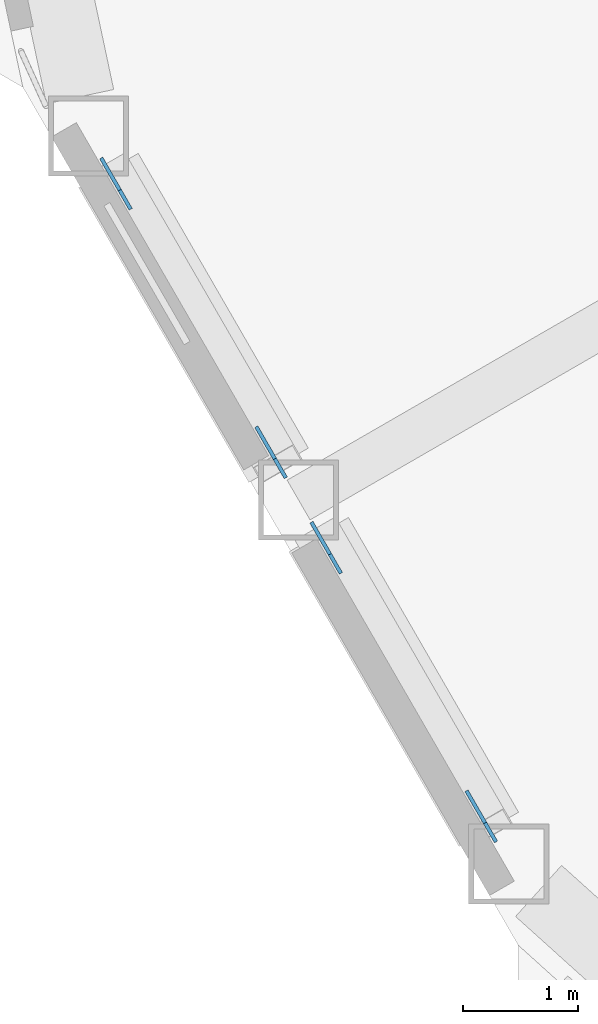
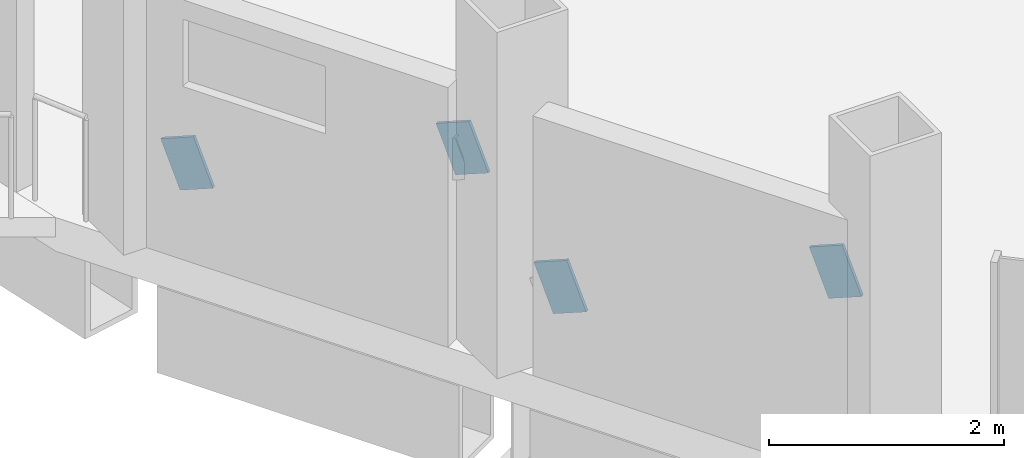
# One storey, part 16 of 24: 4 discrete accessories.
"""IFC4 building model written with IfcOpenShell, lengths in metres."""

from ifc_helpers import new_model, si_unit, direction, frame, origin, origin_2d, place, context, subcontext, project, spatial, rectangle, extrude, material, material_profile, profile_set, type_object, element, save


model = new_model("IFC4")

# Units and contexts
model_context = context("Model", 3, precision=1e-05, world=origin(), true_north=direction((0.0, 1.0)))
body_context = subcontext(model_context, "Body", "Model", "MODEL_VIEW")
ifc_project = project(units=[si_unit("LENGTHUNIT", "METRE"), si_unit("AREAUNIT", "SQUARE_METRE"), si_unit("VOLUMEUNIT", "CUBIC_METRE"), si_unit("PLANEANGLEUNIT", "RADIAN"), si_unit("MASSUNIT", "GRAM", prefix="KILO")], contexts=[model_context])

# Site, building, storey
site_placement = place(None, origin())
site = spatial("IfcSite", under=ifc_project, at=site_placement, CompositionType="ELEMENT")
building_placement = place(site_placement, origin())
building = spatial("IfcBuilding", under=site, at=building_placement, Name="Cormorant Prow Tower", CompositionType="ELEMENT")
storey_placement = place(building_placement, frame((0.0, 0.0, 231.0)))
storey = spatial("IfcBuildingStorey", under=building, at=storey_placement, Name="L50", CompositionType="ELEMENT", Elevation=231.0)

# Discrete accessories
ifc_material = material(Name="Structural steel ASTM A500 Gr C", Category="steel")
ifc_material_profile = material_profile(ifc_material, rectangle(XDim=0.031982421875, YDim=0.506103515625, at=origin_2d()), Name="Gusset plate 32x506")
ifc_profile_set = profile_set([ifc_material_profile], Name="Structural steel ASTM A500 Gr C")
discrete_accessory_type = type_object("IfcDiscreteAccessoryType", Name="Gusset plate 32x506", PredefinedType="BRACKET", material=ifc_profile_set)
discrete_accessory_1_placement = place(storey_placement, frame((-29.2900390625, -13.4150390625, 0.863037109375), z_axis=(-0.462538490196, 0.801593854051, -0.378821116405), x_axis=(-0.866147934042, -0.499787711288, 0.0)))
element("IfcDiscreteAccessory", 1, at=discrete_accessory_1_placement, inside=storey, type_object=discrete_accessory_type, Name="Gusset plate GP2 L50.WSW00.g0", PredefinedType="BRACKET", context=body_context, shape_type="SweptSolid", body=[
    extrude(rectangle(XDim=0.031982421875, YDim=0.506103515625, at=origin_2d()), origin(), (0.0, 0.0, 1.0), 0.349853515625),
])
discrete_accessory_2_placement = place(storey_placement, frame((-28.09814453125, -15.4794921875, 1.837890625), z_axis=(0.462949952395, -0.801795851286, 0.37788987078), x_axis=(0.866010015463, 0.500026652407, 0.0)))
element("IfcDiscreteAccessory", 2, at=discrete_accessory_2_placement, inside=storey, type_object=discrete_accessory_type, Name="Gusset plate GP2 L50.WSW00.g1", PredefinedType="BRACKET", context=body_context, shape_type="SweptSolid", body=[
    extrude(rectangle(XDim=0.031982421875, YDim=0.506103515625, at=origin_2d()), origin(), (0.0, 0.0, 1.0), 0.35009765625),
])
discrete_accessory_3_placement = place(storey_placement, frame((-27.454833984375, -16.59375, 0.863037109375), z_axis=(-0.462538490196, 0.801593854051, -0.378821116405), x_axis=(-0.866147934042, -0.499787711288, 0.0)))
element("IfcDiscreteAccessory", 3, at=discrete_accessory_3_placement, inside=storey, type_object=discrete_accessory_type, Name="Gusset plate GP2 L50.WSW01.g0", PredefinedType="BRACKET", context=body_context, shape_type="SweptSolid", body=[
    extrude(rectangle(XDim=0.031982421875, YDim=0.506103515625, at=origin_2d()), origin(), (0.0, 0.0, 1.0), 0.349853515625),
])
discrete_accessory_4_placement = place(storey_placement, frame((-26.262939453125, -18.658203125, 1.837890625), z_axis=(0.462949952395, -0.801795851286, 0.37788987078), x_axis=(0.866010015463, 0.500026652407, 0.0)))
element("IfcDiscreteAccessory", 4, at=discrete_accessory_4_placement, inside=storey, type_object=discrete_accessory_type, Name="Gusset plate GP2 L50.WSW01.g1", PredefinedType="BRACKET", context=body_context, shape_type="SweptSolid", body=[
    extrude(rectangle(XDim=0.031982421875, YDim=0.506103515625, at=origin_2d()), origin(), (0.0, 0.0, 1.0), 0.35009765625),
])

save(model, "model.ifc")
